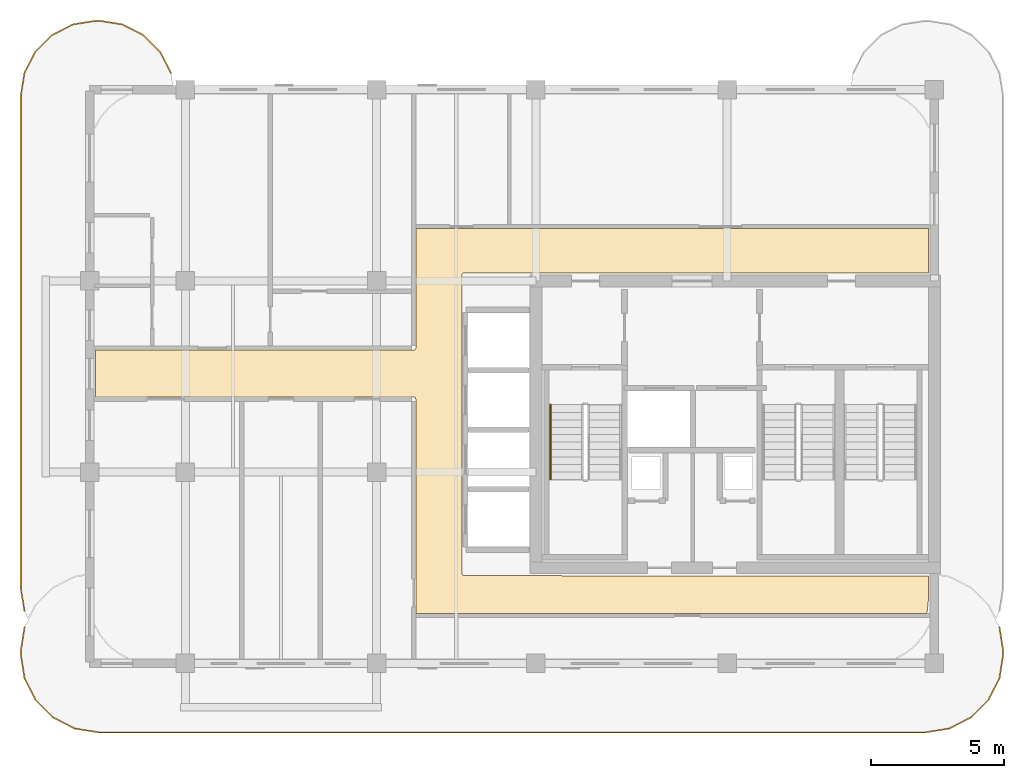
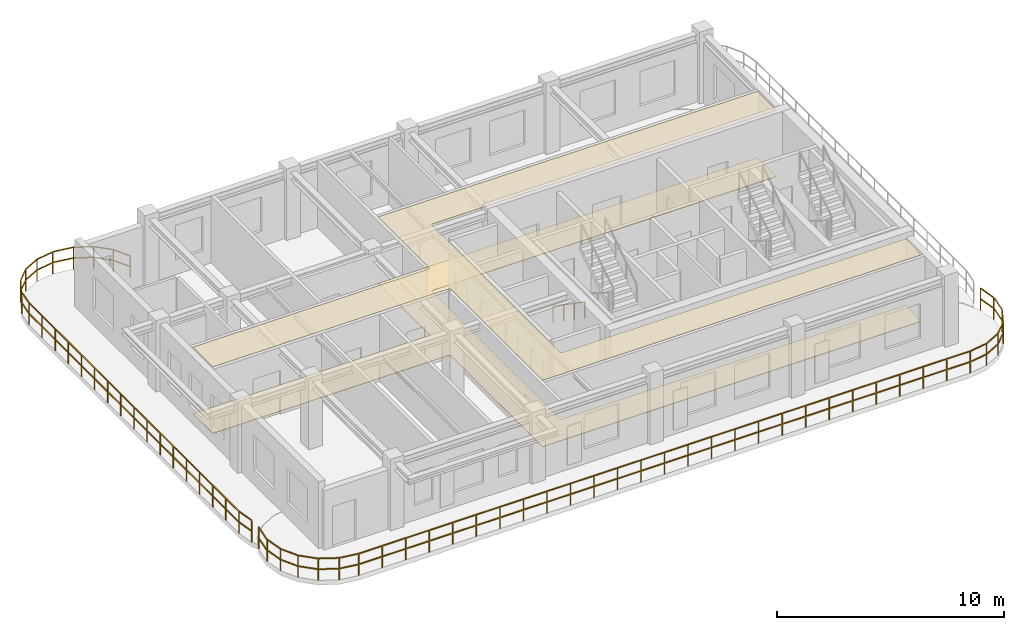
# One storey, part 6 of 7: 3 railings, 2 coverings.
"""IFC4 building model written with IfcOpenShell, lengths in metres."""

from ifc_helpers import new_model, si_unit, derived_unit, direction, frame, origin, origin_2d, place, context, subcontext, project, spatial, polyline, rectangle, outline, extrude, material, layer, layer_set, type_object, element, save


model = new_model("IFC4")

# Units and contexts
model_context = context("Model", 3, precision=1e-05, world=origin(), true_north=direction((0.0, 1.0)))
body_context = subcontext(model_context, "Body", "Model", "MODEL_VIEW")
ifc_project = project(units=[si_unit("LENGTHUNIT", "METRE"), si_unit("AREAUNIT", "SQUARE_METRE"), si_unit("VOLUMEUNIT", "CUBIC_METRE"), si_unit("PLANEANGLEUNIT", "RADIAN"), si_unit("MASSUNIT", "GRAM", prefix="KILO"), si_unit("THERMODYNAMICTEMPERATUREUNIT", "KELVIN"), si_unit("POWERUNIT", "WATT"), derived_unit("THERMALTRANSMITTANCEUNIT", [(si_unit("POWERUNIT", "WATT"), 1), (si_unit("AREAUNIT", "SQUARE_METRE"), -1), (si_unit("THERMODYNAMICTEMPERATUREUNIT", "KELVIN"), -1)])], contexts=[model_context])

# Site, building, storey
site_placement = place(None, origin())
site = spatial("IfcSite", under=ifc_project, at=site_placement, CompositionType="ELEMENT")
building_placement = place(site_placement, origin())
building = spatial("IfcBuilding", under=site, at=building_placement, Name="Zahravan Archway Hotel and Residences", CompositionType="ELEMENT")
storey_placement = place(building_placement, frame((0.0, 0.0, 278.89990234375)))
storey = spatial("IfcBuildingStorey", under=building, at=storey_placement, Name="L70", CompositionType="ELEMENT", Elevation=278.89990234375)

# Coverings
ifc_material_1 = material(Name="Perforated Acoustic Gypsum Ceiling")
ifc_layer_1 = layer(ifc_material_1, 0.02490234375, Name="Perforated Acoustic Gypsum Ceiling")
ifc_layer_set_1 = layer_set([ifc_layer_1], Name="Perforated Acoustic Gypsum Ceiling")
covering_type_1 = type_object("IfcCoveringType", Name="COV-CEIL-ACST", PredefinedType="CEILING", material=ifc_layer_set_1)
covering_1_placement = place(storey_placement, frame((0.0, 0.0, 3.5751953125)))
element("IfcCovering", 1, at=covering_1_placement, inside=storey, type_object=covering_type_1, Name="L70 Acoustic Corridor Ceiling", PredefinedType="CEILING", context=body_context, shape_type="SweptSolid", body=[
    extrude(outline(polyline([(30.215576171875, 11.79150390625), (30.256591796875, 11.8134765625), (30.278564453125, 11.8544921875), (30.280029296875, 16.3701171875), (49.580078125, 16.3701171875), (49.580078125, 14.705078125), (32.10009765625, 14.705078125), (32.0556640625, 14.69140625), (32.026123046875, 14.655517578125), (32.02001953125, 3.375), (32.033447265625, 3.33056640625), (32.0693359375, 3.301025390625), (49.580078125, 3.294921875), (49.580078125, 2.410888671875), (49.537109375, 1.974853515625), (49.50830078125, 1.8798828125), (30.280029296875, 1.8798828125), (30.280029296875, 9.949951171875), (30.2666015625, 9.994384765625), (30.230712890625, 10.02392578125), (18.219970703125, 10.030029296875), (18.219970703125, 11.7900390625), (30.199951171875, 11.7900390625), (30.215576171875, 11.79150390625)])), origin(), (0.0, 0.0, 1.0), 0.02490234375),
])
ifc_material_2 = material(Name="Honed Margalla Limestone & Mortar Bed", Category="masonry")
ifc_layer_2 = layer(ifc_material_2, 0.030029296875, Name="Honed Margalla Limestone & Mortar Bed", Category="masonry")
ifc_layer_set_2 = layer_set([ifc_layer_2], Name="Honed Margalla Limestone & Mortar Bed")
covering_type_2 = type_object("IfcCoveringType", Name="COV-FLR-STONE", PredefinedType="FLOORING", material=ifc_layer_set_2)
covering_2_placement = place(storey_placement, origin())
element("IfcCovering", 2, at=covering_2_placement, inside=storey, type_object=covering_type_2, Name="L70 Circulation Floor Finish", PredefinedType="FLOORING", context=body_context, shape_type="SweptSolid", body=[
    extrude(outline(polyline([(30.215576171875, 11.79150390625), (30.256591796875, 11.8134765625), (30.278564453125, 11.8544921875), (30.280029296875, 16.3701171875), (49.580078125, 16.3701171875), (49.580078125, 14.705078125), (32.10009765625, 14.705078125), (32.0556640625, 14.69140625), (32.026123046875, 14.655517578125), (32.02001953125, 3.375), (32.033447265625, 3.33056640625), (32.0693359375, 3.301025390625), (49.580078125, 3.294921875), (49.580078125, 2.410888671875), (49.537109375, 1.974853515625), (49.50830078125, 1.8798828125), (30.280029296875, 1.8798828125), (30.280029296875, 9.949951171875), (30.2666015625, 9.994384765625), (30.230712890625, 10.02392578125), (18.219970703125, 10.030029296875), (18.219970703125, 11.7900390625), (30.199951171875, 11.7900390625), (30.215576171875, 11.79150390625)])), origin(), (0.0, 0.0, 1.0), 0.030029296875),
])

# Railings
ifc_material_3 = material(Name="Bronze & Laminated Glass Balustrade", Category="glass")
railing_type_1 = type_object("IfcRailingType", Name="RL-BAL-1200", PredefinedType="BALUSTRADE", material=ifc_material_3)
railing_1_placement = place(storey_placement, frame((52.255615234375, 1.361572265625, 0.0)))
element("IfcRailing", 3, at=railing_1_placement, inside=storey, type_object=railing_type_1, Name="L70 Balustrade RL-SLB-BAL-L70-SA-1", PredefinedType="BALUSTRADE", context=body_context, shape_type="SweptSolid", body=[
    extrude(rectangle(XDim=0.048095703125, YDim=0.048095703125, at=origin_2d()), frame((0.0, 0.0, 1.17578125), z_axis=(0.156329311416, -0.987704989555, 0.0), x_axis=(0.987704989555, 0.156329311416, 0.0)), (0.0, 0.0, 1.0), 0.9228515625),
    extrude(rectangle(XDim=0.048095703125, YDim=0.048095703125, at=origin_2d()), frame((0.0, 0.0, 0.60009765625), z_axis=(0.156329311416, -0.987704989555, 0.0), x_axis=(0.987704989555, 0.156329311416, 0.0)), (0.0, 0.0, 1.0), 0.9228515625),
    extrude(rectangle(XDim=0.048095703125, YDim=0.048095703125, at=origin_2d()), frame((0.144287109375, -0.91162109375, 1.17578125), z_axis=(0.0, -1.0, 0.0), x_axis=(1.0, 0.0, 0.0)), (0.0, 0.0, 1.0), 0.099853515625),
    extrude(rectangle(XDim=0.048095703125, YDim=0.048095703125, at=origin_2d()), frame((0.144287109375, -0.91162109375, 0.60009765625), z_axis=(0.0, -1.0, 0.0), x_axis=(1.0, 0.0, 0.0)), (0.0, 0.0, 1.0), 0.099853515625),
    extrude(rectangle(XDim=0.048095703125, YDim=0.048095703125, at=origin_2d()), frame((0.144287109375, -1.011474609375, 1.17578125), z_axis=(-0.156329311416, -0.987704989555, 0.0), x_axis=(0.987704989555, -0.156329311416, 0.0)), (0.0, 0.0, 1.0), 0.9228515625),
    extrude(rectangle(XDim=0.048095703125, YDim=0.048095703125, at=origin_2d()), frame((0.144287109375, -1.011474609375, 0.60009765625), z_axis=(-0.156329311416, -0.987704989555, 0.0), x_axis=(0.987704989555, -0.156329311416, 0.0)), (0.0, 0.0, 1.0), 0.9228515625),
    extrude(rectangle(XDim=0.048095703125, YDim=0.048095703125, at=origin_2d()), frame((0.0, -1.923095703125, 1.17578125), z_axis=(-0.453866348456, -0.891069771532, 0.0), x_axis=(0.891069771532, -0.453866348456, 0.0)), (0.0, 0.0, 1.0), 0.923095703125),
    extrude(rectangle(XDim=0.048095703125, YDim=0.048095703125, at=origin_2d()), frame((0.0, -1.923095703125, 0.60009765625), z_axis=(-0.453866348456, -0.891069771532, 0.0), x_axis=(0.891069771532, -0.453866348456, 0.0)), (0.0, 0.0, 1.0), 0.923095703125),
    extrude(rectangle(XDim=0.048095703125, YDim=0.048095703125, at=origin_2d()), frame((-0.4189453125, -2.74560546875, 1.17578125), z_axis=(-0.707106781187, -0.707106781187, 0.0), x_axis=(0.707106781187, -0.707106781187, 0.0)), (0.0, 0.0, 1.0), 0.9228515625),
    extrude(rectangle(XDim=0.048095703125, YDim=0.048095703125, at=origin_2d()), frame((-0.4189453125, -2.74560546875, 0.60009765625), z_axis=(-0.707106781187, -0.707106781187, 0.0), x_axis=(0.707106781187, -0.707106781187, 0.0)), (0.0, 0.0, 1.0), 0.9228515625),
    extrude(rectangle(XDim=0.048095703125, YDim=0.048095703125, at=origin_2d()), frame((-1.071533203125, -3.398193359375, 1.17578125), z_axis=(-0.891069771532, -0.453866348456, 0.0), x_axis=(0.453866348456, -0.891069771532, 0.0)), (0.0, 0.0, 1.0), 0.923095703125),
    extrude(rectangle(XDim=0.048095703125, YDim=0.048095703125, at=origin_2d()), frame((-1.071533203125, -3.398193359375, 0.60009765625), z_axis=(-0.891069771532, -0.453866348456, 0.0), x_axis=(0.453866348456, -0.891069771532, 0.0)), (0.0, 0.0, 1.0), 0.923095703125),
    extrude(rectangle(XDim=0.048095703125, YDim=0.048095703125, at=origin_2d()), frame((-1.89404296875, -3.817138671875, 1.17578125), z_axis=(-0.98766411426, -0.156587347521, 0.0), x_axis=(0.156587347521, -0.98766411426, 0.0)), (0.0, 0.0, 1.0), 0.923095703125),
    extrude(rectangle(XDim=0.048095703125, YDim=0.048095703125, at=origin_2d()), frame((-1.89404296875, -3.817138671875, 0.60009765625), z_axis=(-0.98766411426, -0.156587347521, 0.0), x_axis=(0.156587347521, -0.98766411426, 0.0)), (0.0, 0.0, 1.0), 0.923095703125),
    extrude(rectangle(XDim=0.048095703125, YDim=0.048095703125, at=origin_2d()), frame((-2.8056640625, -3.961669921875, 1.17578125), z_axis=(-1.0, 0.0, 0.0), x_axis=(0.0, -1.0, 0.0)), (0.0, 0.0, 1.0), 31.099853515625),
    extrude(rectangle(XDim=0.048095703125, YDim=0.048095703125, at=origin_2d()), frame((-2.8056640625, -3.961669921875, 0.60009765625), z_axis=(-1.0, 0.0, 0.0), x_axis=(0.0, -1.0, 0.0)), (0.0, 0.0, 1.0), 31.099853515625),
    extrude(rectangle(XDim=0.048095703125, YDim=0.048095703125, at=origin_2d()), frame((-33.905517578125, -3.961669921875, 1.17578125), z_axis=(-0.98766411426, 0.156587347521, 0.0), x_axis=(-0.156587347521, -0.98766411426, 0.0)), (0.0, 0.0, 1.0), 0.923095703125),
    extrude(rectangle(XDim=0.048095703125, YDim=0.048095703125, at=origin_2d()), frame((-33.905517578125, -3.961669921875, 0.60009765625), z_axis=(-0.98766411426, 0.156587347521, 0.0), x_axis=(-0.156587347521, -0.98766411426, 0.0)), (0.0, 0.0, 1.0), 0.923095703125),
    extrude(rectangle(XDim=0.048095703125, YDim=0.048095703125, at=origin_2d()), frame((-34.817138671875, -3.817138671875, 1.17578125), z_axis=(-0.891069771532, 0.453866348456, 0.0), x_axis=(-0.453866348456, -0.891069771532, 0.0)), (0.0, 0.0, 1.0), 0.923095703125),
    extrude(rectangle(XDim=0.048095703125, YDim=0.048095703125, at=origin_2d()), frame((-34.817138671875, -3.817138671875, 0.60009765625), z_axis=(-0.891069771532, 0.453866348456, 0.0), x_axis=(-0.453866348456, -0.891069771532, 0.0)), (0.0, 0.0, 1.0), 0.923095703125),
    extrude(rectangle(XDim=0.048095703125, YDim=0.048095703125, at=origin_2d()), frame((-35.6396484375, -3.398193359375, 1.17578125), z_axis=(-0.707106781187, 0.707106781187, 0.0), x_axis=(-0.707106781187, -0.707106781187, 0.0)), (0.0, 0.0, 1.0), 0.9228515625),
    extrude(rectangle(XDim=0.048095703125, YDim=0.048095703125, at=origin_2d()), frame((-35.6396484375, -3.398193359375, 0.60009765625), z_axis=(-0.707106781187, 0.707106781187, 0.0), x_axis=(-0.707106781187, -0.707106781187, 0.0)), (0.0, 0.0, 1.0), 0.9228515625),
    extrude(rectangle(XDim=0.048095703125, YDim=0.048095703125, at=origin_2d()), frame((-36.292236328125, -2.74560546875, 1.17578125), z_axis=(-0.453866348456, 0.891069771532, 0.0), x_axis=(-0.891069771532, -0.453866348456, 0.0)), (0.0, 0.0, 1.0), 0.923095703125),
    extrude(rectangle(XDim=0.048095703125, YDim=0.048095703125, at=origin_2d()), frame((-36.292236328125, -2.74560546875, 0.60009765625), z_axis=(-0.453866348456, 0.891069771532, 0.0), x_axis=(-0.891069771532, -0.453866348456, 0.0)), (0.0, 0.0, 1.0), 0.923095703125),
    extrude(rectangle(XDim=0.048095703125, YDim=0.048095703125, at=origin_2d()), frame((-36.711181640625, -1.923095703125, 1.17578125), z_axis=(-0.156587347521, 0.98766411426, 0.0), x_axis=(-0.98766411426, -0.156587347521, 0.0)), (0.0, 0.0, 1.0), 0.923095703125),
    extrude(rectangle(XDim=0.048095703125, YDim=0.048095703125, at=origin_2d()), frame((-36.711181640625, -1.923095703125, 0.60009765625), z_axis=(-0.156587347521, 0.98766411426, 0.0), x_axis=(-0.98766411426, -0.156587347521, 0.0)), (0.0, 0.0, 1.0), 0.923095703125),
    extrude(rectangle(XDim=0.048095703125, YDim=0.048095703125, at=origin_2d()), frame((-36.855712890625, -1.011474609375, 1.17578125), z_axis=(0.0, 1.0, 0.0), x_axis=(-1.0, 0.0, 0.0)), (0.0, 0.0, 1.0), 0.099853515625),
    extrude(rectangle(XDim=0.048095703125, YDim=0.048095703125, at=origin_2d()), frame((-36.855712890625, -1.011474609375, 0.60009765625), z_axis=(0.0, 1.0, 0.0), x_axis=(-1.0, 0.0, 0.0)), (0.0, 0.0, 1.0), 0.099853515625),
    extrude(rectangle(XDim=0.048095703125, YDim=0.048095703125, at=origin_2d()), frame((-36.855712890625, -0.91162109375, 1.17578125), z_axis=(0.156587347521, 0.98766411426, 0.0), x_axis=(-0.98766411426, 0.156587347521, 0.0)), (0.0, 0.0, 1.0), 0.923095703125),
    extrude(rectangle(XDim=0.048095703125, YDim=0.048095703125, at=origin_2d()), frame((-36.855712890625, -0.91162109375, 0.60009765625), z_axis=(0.156587347521, 0.98766411426, 0.0), x_axis=(-0.98766411426, 0.156587347521, 0.0)), (0.0, 0.0, 1.0), 0.923095703125),
    extrude(rectangle(XDim=0.0419921875, YDim=0.0419921875, at=origin_2d()), origin(), (0.0, 0.0, 1.0), 1.15185546875),
    extrude(rectangle(XDim=0.0419921875, YDim=0.0419921875, at=origin_2d()), frame((0.144287109375, -0.91162109375, 0.0)), (0.0, 0.0, 1.0), 1.15185546875),
    extrude(rectangle(XDim=0.0419921875, YDim=0.0419921875, at=origin_2d()), frame((0.0, -1.923095703125, 0.0)), (0.0, 0.0, 1.0), 1.15185546875),
    extrude(rectangle(XDim=0.0419921875, YDim=0.0419921875, at=origin_2d()), frame((-0.4189453125, -2.74560546875, 0.0)), (0.0, 0.0, 1.0), 1.15185546875),
    extrude(rectangle(XDim=0.0419921875, YDim=0.0419921875, at=origin_2d()), frame((-1.071533203125, -3.398193359375, 0.0)), (0.0, 0.0, 1.0), 1.15185546875),
    extrude(rectangle(XDim=0.0419921875, YDim=0.0419921875, at=origin_2d()), frame((-1.89404296875, -3.817138671875, 0.0)), (0.0, 0.0, 1.0), 1.15185546875),
    extrude(rectangle(XDim=0.0419921875, YDim=0.0419921875, at=origin_2d()), frame((-2.8056640625, -3.961669921875, 0.0)), (0.0, 0.0, 1.0), 1.15185546875),
    extrude(rectangle(XDim=0.0419921875, YDim=0.0419921875, at=origin_2d()), frame((-4.001708984375, -3.961669921875, 0.0)), (0.0, 0.0, 1.0), 1.15185546875),
    extrude(rectangle(XDim=0.0419921875, YDim=0.0419921875, at=origin_2d()), frame((-5.197998046875, -3.961669921875, 0.0)), (0.0, 0.0, 1.0), 1.15185546875),
    extrude(rectangle(XDim=0.0419921875, YDim=0.0419921875, at=origin_2d()), frame((-6.39404296875, -3.961669921875, 0.0)), (0.0, 0.0, 1.0), 1.15185546875),
    extrude(rectangle(XDim=0.0419921875, YDim=0.0419921875, at=origin_2d()), frame((-7.59033203125, -3.961669921875, 0.0)), (0.0, 0.0, 1.0), 1.15185546875),
    extrude(rectangle(XDim=0.0419921875, YDim=0.0419921875, at=origin_2d()), frame((-8.786376953125, -3.961669921875, 0.0)), (0.0, 0.0, 1.0), 1.15185546875),
    extrude(rectangle(XDim=0.0419921875, YDim=0.0419921875, at=origin_2d()), frame((-9.982666015625, -3.961669921875, 0.0)), (0.0, 0.0, 1.0), 1.15185546875),
    extrude(rectangle(XDim=0.0419921875, YDim=0.0419921875, at=origin_2d()), frame((-11.1787109375, -3.961669921875, 0.0)), (0.0, 0.0, 1.0), 1.15185546875),
    extrude(rectangle(XDim=0.0419921875, YDim=0.0419921875, at=origin_2d()), frame((-12.374755859375, -3.961669921875, 0.0)), (0.0, 0.0, 1.0), 1.15185546875),
    extrude(rectangle(XDim=0.0419921875, YDim=0.0419921875, at=origin_2d()), frame((-13.571044921875, -3.961669921875, 0.0)), (0.0, 0.0, 1.0), 1.15185546875),
    extrude(rectangle(XDim=0.0419921875, YDim=0.0419921875, at=origin_2d()), frame((-14.76708984375, -3.961669921875, 0.0)), (0.0, 0.0, 1.0), 1.15185546875),
    extrude(rectangle(XDim=0.0419921875, YDim=0.0419921875, at=origin_2d()), frame((-15.96337890625, -3.961669921875, 0.0)), (0.0, 0.0, 1.0), 1.15185546875),
    extrude(rectangle(XDim=0.0419921875, YDim=0.0419921875, at=origin_2d()), frame((-17.159423828125, -3.961669921875, 0.0)), (0.0, 0.0, 1.0), 1.15185546875),
    extrude(rectangle(XDim=0.0419921875, YDim=0.0419921875, at=origin_2d()), frame((-18.35546875, -3.961669921875, 0.0)), (0.0, 0.0, 1.0), 1.15185546875),
    extrude(rectangle(XDim=0.0419921875, YDim=0.0419921875, at=origin_2d()), frame((-19.5517578125, -3.961669921875, 0.0)), (0.0, 0.0, 1.0), 1.15185546875),
    extrude(rectangle(XDim=0.0419921875, YDim=0.0419921875, at=origin_2d()), frame((-20.747802734375, -3.961669921875, 0.0)), (0.0, 0.0, 1.0), 1.15185546875),
    extrude(rectangle(XDim=0.0419921875, YDim=0.0419921875, at=origin_2d()), frame((-21.944091796875, -3.961669921875, 0.0)), (0.0, 0.0, 1.0), 1.15185546875),
    extrude(rectangle(XDim=0.0419921875, YDim=0.0419921875, at=origin_2d()), frame((-23.14013671875, -3.961669921875, 0.0)), (0.0, 0.0, 1.0), 1.15185546875),
    extrude(rectangle(XDim=0.0419921875, YDim=0.0419921875, at=origin_2d()), frame((-24.33642578125, -3.961669921875, 0.0)), (0.0, 0.0, 1.0), 1.15185546875),
    extrude(rectangle(XDim=0.0419921875, YDim=0.0419921875, at=origin_2d()), frame((-25.532470703125, -3.961669921875, 0.0)), (0.0, 0.0, 1.0), 1.15185546875),
    extrude(rectangle(XDim=0.0419921875, YDim=0.0419921875, at=origin_2d()), frame((-26.728515625, -3.961669921875, 0.0)), (0.0, 0.0, 1.0), 1.15185546875),
    extrude(rectangle(XDim=0.0419921875, YDim=0.0419921875, at=origin_2d()), frame((-27.9248046875, -3.961669921875, 0.0)), (0.0, 0.0, 1.0), 1.15185546875),
    extrude(rectangle(XDim=0.0419921875, YDim=0.0419921875, at=origin_2d()), frame((-29.120849609375, -3.961669921875, 0.0)), (0.0, 0.0, 1.0), 1.15185546875),
    extrude(rectangle(XDim=0.0419921875, YDim=0.0419921875, at=origin_2d()), frame((-30.317138671875, -3.961669921875, 0.0)), (0.0, 0.0, 1.0), 1.15185546875),
    extrude(rectangle(XDim=0.0419921875, YDim=0.0419921875, at=origin_2d()), frame((-31.51318359375, -3.961669921875, 0.0)), (0.0, 0.0, 1.0), 1.15185546875),
    extrude(rectangle(XDim=0.0419921875, YDim=0.0419921875, at=origin_2d()), frame((-32.70947265625, -3.961669921875, 0.0)), (0.0, 0.0, 1.0), 1.15185546875),
    extrude(rectangle(XDim=0.0419921875, YDim=0.0419921875, at=origin_2d()), frame((-33.905517578125, -3.961669921875, 0.0)), (0.0, 0.0, 1.0), 1.15185546875),
    extrude(rectangle(XDim=0.0419921875, YDim=0.0419921875, at=origin_2d()), frame((-34.817138671875, -3.817138671875, 0.0)), (0.0, 0.0, 1.0), 1.15185546875),
    extrude(rectangle(XDim=0.0419921875, YDim=0.0419921875, at=origin_2d()), frame((-35.6396484375, -3.398193359375, 0.0)), (0.0, 0.0, 1.0), 1.15185546875),
    extrude(rectangle(XDim=0.0419921875, YDim=0.0419921875, at=origin_2d()), frame((-36.292236328125, -2.74560546875, 0.0)), (0.0, 0.0, 1.0), 1.15185546875),
    extrude(rectangle(XDim=0.0419921875, YDim=0.0419921875, at=origin_2d()), frame((-36.711181640625, -1.923095703125, 0.0)), (0.0, 0.0, 1.0), 1.15185546875),
    extrude(rectangle(XDim=0.0419921875, YDim=0.0419921875, at=origin_2d()), frame((-36.855712890625, -1.011474609375, 0.0)), (0.0, 0.0, 1.0), 1.15185546875),
    extrude(rectangle(XDim=0.0419921875, YDim=0.0419921875, at=origin_2d()), frame((-36.711181640625, 0.0, 0.0)), (0.0, 0.0, 1.0), 1.15185546875),
])
railing_2_placement = place(storey_placement, frame((15.53955078125, 1.96923828125, 0.0)))
element("IfcRailing", 4, at=railing_2_placement, inside=storey, type_object=railing_type_1, Name="L70 Balustrade RL-SLB-BAL-L70-WA-1", PredefinedType="BALUSTRADE", context=body_context, shape_type="SweptSolid", body=[
    extrude(rectangle(XDim=0.048095703125, YDim=0.048095703125, at=origin_2d()), frame((0.0, 0.0, 1.17578125), z_axis=(-0.156581054338, 0.98766511198, 0.0), x_axis=(-0.98766511198, -0.156581054338, 0.0)), (0.0, 0.0, 1.0), 0.891845703125),
    extrude(rectangle(XDim=0.048095703125, YDim=0.048095703125, at=origin_2d()), frame((0.0, 0.0, 0.60009765625), z_axis=(-0.156581054338, 0.98766511198, 0.0), x_axis=(-0.98766511198, -0.156581054338, 0.0)), (0.0, 0.0, 1.0), 0.891845703125),
    extrude(rectangle(XDim=0.048095703125, YDim=0.048095703125, at=origin_2d()), frame((-0.1396484375, 0.880859375, 1.17578125), z_axis=(0.0, 1.0, 0.0), x_axis=(-1.0, 0.0, 0.0)), (0.0, 0.0, 1.0), 18.5),
    extrude(rectangle(XDim=0.048095703125, YDim=0.048095703125, at=origin_2d()), frame((-0.1396484375, 0.880859375, 0.60009765625), z_axis=(0.0, 1.0, 0.0), x_axis=(-1.0, 0.0, 0.0)), (0.0, 0.0, 1.0), 18.5),
    extrude(rectangle(XDim=0.048095703125, YDim=0.048095703125, at=origin_2d()), frame((-0.1396484375, 19.380859375, 1.17578125), z_axis=(0.156623399917, 0.987658397726, 0.0), x_axis=(-0.987658397726, 0.156623399917, 0.0)), (0.0, 0.0, 1.0), 0.8916015625),
    extrude(rectangle(XDim=0.048095703125, YDim=0.048095703125, at=origin_2d()), frame((-0.1396484375, 19.380859375, 0.60009765625), z_axis=(0.156623399917, 0.987658397726, 0.0), x_axis=(-0.987658397726, 0.156623399917, 0.0)), (0.0, 0.0, 1.0), 0.8916015625),
    extrude(rectangle(XDim=0.048095703125, YDim=0.048095703125, at=origin_2d()), frame((0.0, 20.261474609375, 1.17578125), z_axis=(0.453991409995, 0.891006060389, 0.0), x_axis=(-0.891006060389, 0.453991409995, 0.0)), (0.0, 0.0, 1.0), 0.8916015625),
    extrude(rectangle(XDim=0.048095703125, YDim=0.048095703125, at=origin_2d()), frame((0.0, 20.261474609375, 0.60009765625), z_axis=(0.453991409995, 0.891006060389, 0.0), x_axis=(-0.891006060389, 0.453991409995, 0.0)), (0.0, 0.0, 1.0), 0.8916015625),
    extrude(rectangle(XDim=0.048095703125, YDim=0.048095703125, at=origin_2d()), frame((0.40478515625, 21.055908203125, 1.17578125), z_axis=(0.706969864397, 0.70724367147, 0.0), x_axis=(-0.70724367147, 0.706969864397, 0.0)), (0.0, 0.0, 1.0), 0.8916015625),
    extrude(rectangle(XDim=0.048095703125, YDim=0.048095703125, at=origin_2d()), frame((0.40478515625, 21.055908203125, 0.60009765625), z_axis=(0.706969864397, 0.70724367147, 0.0), x_axis=(-0.70724367147, 0.706969864397, 0.0)), (0.0, 0.0, 1.0), 0.8916015625),
    extrude(rectangle(XDim=0.048095703125, YDim=0.048095703125, at=origin_2d()), frame((1.03515625, 21.6865234375, 1.17578125), z_axis=(0.891062476022, 0.45388067135, 0.0), x_axis=(-0.45388067135, 0.891062476022, 0.0)), (0.0, 0.0, 1.0), 0.891845703125),
    extrude(rectangle(XDim=0.048095703125, YDim=0.048095703125, at=origin_2d()), frame((1.03515625, 21.6865234375, 0.60009765625), z_axis=(0.891062476022, 0.45388067135, 0.0), x_axis=(-0.45388067135, 0.891062476022, 0.0)), (0.0, 0.0, 1.0), 0.891845703125),
    extrude(rectangle(XDim=0.048095703125, YDim=0.048095703125, at=origin_2d()), frame((1.829833984375, 22.09130859375, 1.17578125), z_axis=(0.987700720307, 0.156356282588, 0.0), x_axis=(-0.156356282588, 0.987700720307, 0.0)), (0.0, 0.0, 1.0), 0.8916015625),
    extrude(rectangle(XDim=0.048095703125, YDim=0.048095703125, at=origin_2d()), frame((1.829833984375, 22.09130859375, 0.60009765625), z_axis=(0.987700720307, 0.156356282588, 0.0), x_axis=(-0.156356282588, 0.987700720307, 0.0)), (0.0, 0.0, 1.0), 0.8916015625),
    extrude(rectangle(XDim=0.048095703125, YDim=0.048095703125, at=origin_2d()), frame((2.71044921875, 22.230712890625, 1.17578125), z_axis=(1.0, 0.0, 0.0), x_axis=(0.0, 1.0, 0.0)), (0.0, 0.0, 1.0), 0.10009765625),
    extrude(rectangle(XDim=0.048095703125, YDim=0.048095703125, at=origin_2d()), frame((2.71044921875, 22.230712890625, 0.60009765625), z_axis=(1.0, 0.0, 0.0), x_axis=(0.0, 1.0, 0.0)), (0.0, 0.0, 1.0), 0.10009765625),
    extrude(rectangle(XDim=0.048095703125, YDim=0.048095703125, at=origin_2d()), frame((2.810546875, 22.230712890625, 1.17578125), z_axis=(0.987700720307, -0.156356282588, 0.0), x_axis=(0.156356282588, 0.987700720307, 0.0)), (0.0, 0.0, 1.0), 0.8916015625),
    extrude(rectangle(XDim=0.048095703125, YDim=0.048095703125, at=origin_2d()), frame((2.810546875, 22.230712890625, 0.60009765625), z_axis=(0.987700720307, -0.156356282588, 0.0), x_axis=(0.156356282588, 0.987700720307, 0.0)), (0.0, 0.0, 1.0), 0.8916015625),
    extrude(rectangle(XDim=0.048095703125, YDim=0.048095703125, at=origin_2d()), frame((3.691162109375, 22.09130859375, 1.17578125), z_axis=(0.891006060389, -0.453991409995, 0.0), x_axis=(0.453991409995, 0.891006060389, 0.0)), (0.0, 0.0, 1.0), 0.8916015625),
    extrude(rectangle(XDim=0.048095703125, YDim=0.048095703125, at=origin_2d()), frame((3.691162109375, 22.09130859375, 0.60009765625), z_axis=(0.891006060389, -0.453991409995, 0.0), x_axis=(0.453991409995, 0.891006060389, 0.0)), (0.0, 0.0, 1.0), 0.8916015625),
    extrude(rectangle(XDim=0.048095703125, YDim=0.048095703125, at=origin_2d()), frame((4.485595703125, 21.6865234375, 1.17578125), z_axis=(0.707106781187, -0.707106781187, 0.0), x_axis=(0.707106781187, 0.707106781187, 0.0)), (0.0, 0.0, 1.0), 0.891845703125),
    extrude(rectangle(XDim=0.048095703125, YDim=0.048095703125, at=origin_2d()), frame((4.485595703125, 21.6865234375, 0.60009765625), z_axis=(0.707106781187, -0.707106781187, 0.0), x_axis=(0.707106781187, 0.707106781187, 0.0)), (0.0, 0.0, 1.0), 0.891845703125),
    extrude(rectangle(XDim=0.048095703125, YDim=0.048095703125, at=origin_2d()), frame((5.1162109375, 21.055908203125, 1.17578125), z_axis=(0.453991409995, -0.891006060389, 0.0), x_axis=(0.891006060389, 0.453991409995, 0.0)), (0.0, 0.0, 1.0), 0.8916015625),
    extrude(rectangle(XDim=0.048095703125, YDim=0.048095703125, at=origin_2d()), frame((5.1162109375, 21.055908203125, 0.60009765625), z_axis=(0.453991409995, -0.891006060389, 0.0), x_axis=(0.891006060389, 0.453991409995, 0.0)), (0.0, 0.0, 1.0), 0.8916015625),
    extrude(rectangle(XDim=0.0419921875, YDim=0.0419921875, at=origin_2d()), origin(), (0.0, 0.0, 1.0), 1.15185546875),
    extrude(rectangle(XDim=0.0419921875, YDim=0.0419921875, at=origin_2d()), frame((-0.1396484375, 0.880859375, 0.0)), (0.0, 0.0, 1.0), 1.15185546875),
    extrude(rectangle(XDim=0.0419921875, YDim=0.0419921875, at=origin_2d()), frame((-0.1396484375, 2.037109375, 0.0)), (0.0, 0.0, 1.0), 1.15185546875),
    extrude(rectangle(XDim=0.0419921875, YDim=0.0419921875, at=origin_2d()), frame((-0.1396484375, 3.193359375, 0.0)), (0.0, 0.0, 1.0), 1.15185546875),
    extrude(rectangle(XDim=0.0419921875, YDim=0.0419921875, at=origin_2d()), frame((-0.1396484375, 4.349609375, 0.0)), (0.0, 0.0, 1.0), 1.15185546875),
    extrude(rectangle(XDim=0.0419921875, YDim=0.0419921875, at=origin_2d()), frame((-0.1396484375, 5.505859375, 0.0)), (0.0, 0.0, 1.0), 1.15185546875),
    extrude(rectangle(XDim=0.0419921875, YDim=0.0419921875, at=origin_2d()), frame((-0.1396484375, 6.662109375, 0.0)), (0.0, 0.0, 1.0), 1.15185546875),
    extrude(rectangle(XDim=0.0419921875, YDim=0.0419921875, at=origin_2d()), frame((-0.1396484375, 7.818359375, 0.0)), (0.0, 0.0, 1.0), 1.15185546875),
    extrude(rectangle(XDim=0.0419921875, YDim=0.0419921875, at=origin_2d()), frame((-0.1396484375, 8.974609375, 0.0)), (0.0, 0.0, 1.0), 1.15185546875),
    extrude(rectangle(XDim=0.0419921875, YDim=0.0419921875, at=origin_2d()), frame((-0.1396484375, 10.130859375, 0.0)), (0.0, 0.0, 1.0), 1.15185546875),
    extrude(rectangle(XDim=0.0419921875, YDim=0.0419921875, at=origin_2d()), frame((-0.1396484375, 11.287109375, 0.0)), (0.0, 0.0, 1.0), 1.15185546875),
    extrude(rectangle(XDim=0.0419921875, YDim=0.0419921875, at=origin_2d()), frame((-0.1396484375, 12.443359375, 0.0)), (0.0, 0.0, 1.0), 1.15185546875),
    extrude(rectangle(XDim=0.0419921875, YDim=0.0419921875, at=origin_2d()), frame((-0.1396484375, 13.599609375, 0.0)), (0.0, 0.0, 1.0), 1.15185546875),
    extrude(rectangle(XDim=0.0419921875, YDim=0.0419921875, at=origin_2d()), frame((-0.1396484375, 14.755859375, 0.0)), (0.0, 0.0, 1.0), 1.15185546875),
    extrude(rectangle(XDim=0.0419921875, YDim=0.0419921875, at=origin_2d()), frame((-0.1396484375, 15.912109375, 0.0)), (0.0, 0.0, 1.0), 1.15185546875),
    extrude(rectangle(XDim=0.0419921875, YDim=0.0419921875, at=origin_2d()), frame((-0.1396484375, 17.068359375, 0.0)), (0.0, 0.0, 1.0), 1.15185546875),
    extrude(rectangle(XDim=0.0419921875, YDim=0.0419921875, at=origin_2d()), frame((-0.1396484375, 18.224609375, 0.0)), (0.0, 0.0, 1.0), 1.15185546875),
    extrude(rectangle(XDim=0.0419921875, YDim=0.0419921875, at=origin_2d()), frame((-0.1396484375, 19.380859375, 0.0)), (0.0, 0.0, 1.0), 1.15185546875),
    extrude(rectangle(XDim=0.0419921875, YDim=0.0419921875, at=origin_2d()), frame((0.0, 20.261474609375, 0.0)), (0.0, 0.0, 1.0), 1.15185546875),
    extrude(rectangle(XDim=0.0419921875, YDim=0.0419921875, at=origin_2d()), frame((0.40478515625, 21.055908203125, 0.0)), (0.0, 0.0, 1.0), 1.15185546875),
    extrude(rectangle(XDim=0.0419921875, YDim=0.0419921875, at=origin_2d()), frame((1.03515625, 21.6865234375, 0.0)), (0.0, 0.0, 1.0), 1.15185546875),
    extrude(rectangle(XDim=0.0419921875, YDim=0.0419921875, at=origin_2d()), frame((1.829833984375, 22.09130859375, 0.0)), (0.0, 0.0, 1.0), 1.15185546875),
    extrude(rectangle(XDim=0.0419921875, YDim=0.0419921875, at=origin_2d()), frame((2.71044921875, 22.230712890625, 0.0)), (0.0, 0.0, 1.0), 1.15185546875),
    extrude(rectangle(XDim=0.0419921875, YDim=0.0419921875, at=origin_2d()), frame((3.691162109375, 22.09130859375, 0.0)), (0.0, 0.0, 1.0), 1.15185546875),
    extrude(rectangle(XDim=0.0419921875, YDim=0.0419921875, at=origin_2d()), frame((4.485595703125, 21.6865234375, 0.0)), (0.0, 0.0, 1.0), 1.15185546875),
    extrude(rectangle(XDim=0.0419921875, YDim=0.0419921875, at=origin_2d()), frame((5.1162109375, 21.055908203125, 0.0)), (0.0, 0.0, 1.0), 1.15185546875),
    extrude(rectangle(XDim=0.0419921875, YDim=0.0419921875, at=origin_2d()), frame((5.52099609375, 20.261474609375, 0.0)), (0.0, 0.0, 1.0), 1.15185546875),
])
ifc_material_4 = material(Name="Brushed Stainless Steel", Category="steel")
railing_type_2 = type_object("IfcRailingType", Name="RL-STH-900", PredefinedType="HANDRAIL", material=ifc_material_4)
railing_3_placement = place(storey_placement, frame((35.35009765625, 9.72998046875, 0.175048828125)))
element("IfcRailing", 5, at=railing_3_placement, inside=storey, type_object=railing_type_2, Name="L70 ST-A1 stair handrail 1", PredefinedType="HANDRAIL", context=body_context, shape_type="SweptSolid", body=[
    extrude(rectangle(XDim=0.048095703125, YDim=0.048095703125, at=origin_2d()), frame((0.0, 0.0, 0.8759765625), z_axis=(0.0, -0.824039827795, 0.566531872191), x_axis=(1.0, 0.0, 0.0)), (0.0, 0.0, 1.0), 3.39794921875),
    extrude(rectangle(XDim=0.0419921875, YDim=0.0419921875, at=origin_2d()), origin(), (0.0, 0.0, 1.0), 0.851806640625),
    extrude(rectangle(XDim=0.0419921875, YDim=0.0419921875, at=origin_2d()), frame((0.0, -0.933349609375, 0.6416015625)), (0.0, 0.0, 1.0), 0.851806640625),
    extrude(rectangle(XDim=0.0419921875, YDim=0.0419921875, at=origin_2d()), frame((0.0, -1.86669921875, 1.283447265625)), (0.0, 0.0, 1.0), 0.851806640625),
    extrude(rectangle(XDim=0.0419921875, YDim=0.0419921875, at=origin_2d()), frame((0.0, -2.800048828125, 1.925048828125)), (0.0, 0.0, 1.0), 0.851806640625),
])

save(model, "model.ifc")
